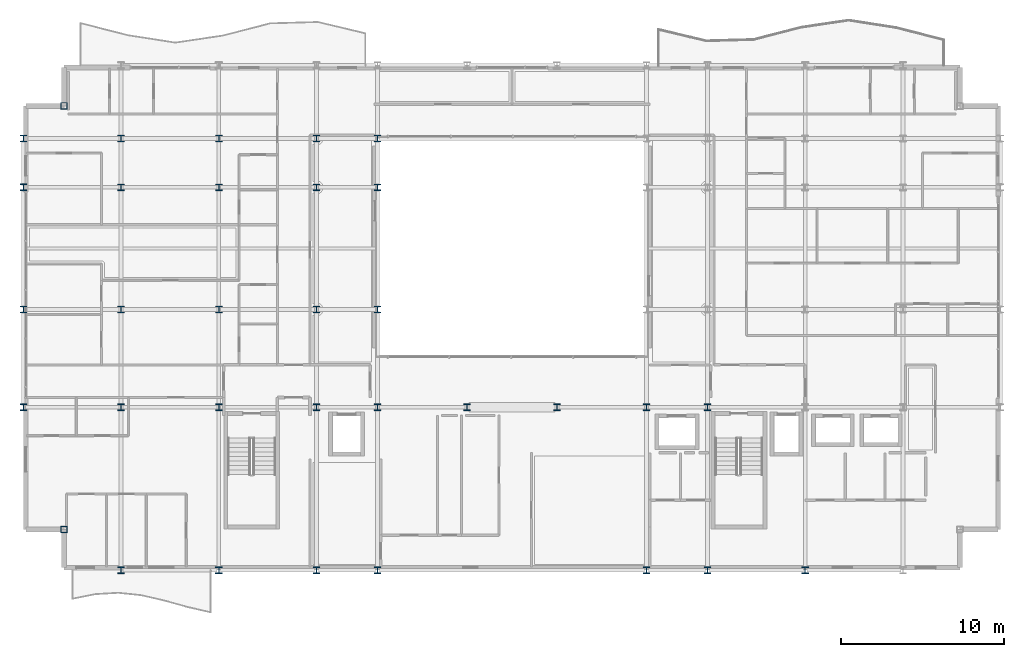
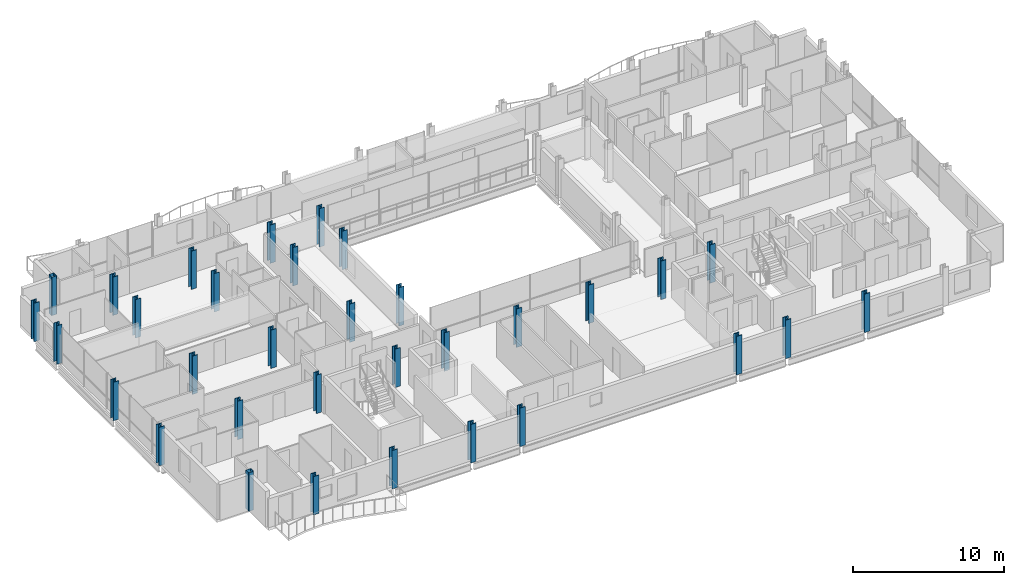
# One storey, part 1 of 41: 33 columns.
"""IFC4 building model written with IfcOpenShell, lengths in metres."""

from ifc_helpers import new_model, si_unit, direction, frame, origin, origin_2d, place, context, subcontext, project, spatial, hollow_rectangle, i_section, extrude, material, material_profile, profile_set, type_object, element, save


model = new_model("IFC4")

# Units and contexts
model_context = context("Model", 3, precision=1e-05, world=origin(), true_north=direction((0.0, 1.0)))
body_context = subcontext(model_context, "Body", "Model", "MODEL_VIEW")
ifc_project = project(units=[si_unit("LENGTHUNIT", "METRE"), si_unit("AREAUNIT", "SQUARE_METRE"), si_unit("VOLUMEUNIT", "CUBIC_METRE"), si_unit("PLANEANGLEUNIT", "RADIAN"), si_unit("MASSUNIT", "GRAM", prefix="KILO")], contexts=[model_context])

# Site, building, storey
site_placement = place(None, origin())
site = spatial("IfcSite", under=ifc_project, at=site_placement, CompositionType="ELEMENT")
building_placement = place(site_placement, origin())
building = spatial("IfcBuilding", under=site, at=building_placement, Name="Brevholm Reach", CompositionType="ELEMENT")
storey_placement = place(building_placement, frame((0.0, 0.0, 157.300048828125)))
storey = spatial("IfcBuildingStorey", under=building, at=storey_placement, Name="L47", CompositionType="ELEMENT", Elevation=157.300048828125)

# Columns
ifc_material_1 = material(Name="Structural Steel S460NH", Category="steel")
ifc_material_profile_1 = material_profile(ifc_material_1, hollow_rectangle(XDim=0.39990234375, YDim=0.39990234375, WallThickness=0.02001953125, InnerFilletRadius=0.011962890625, OuterFilletRadius=0.02392578125, at=origin_2d()), Name="SHS 400x400x20")
ifc_profile_set_1 = profile_set([ifc_material_profile_1], Name="Structural Steel S460NH")
column_type_1 = type_object("IfcColumnType", Name="COL-SHS2", PredefinedType="COLUMN", material=ifc_profile_set_1)
for number, where, z_axis, x_axis, name in (
    (1, (2.5, 2.5, 0.0), (0.0, 0.0, 1.0), (1.0, 0.0, 0.0), "L47 Column 05"),
    (2, (2.5, 28.5, 0.0), (0.0, 0.0, 1.0), (1.0, 0.0, 0.0), "L47 Column 06"),
):
    element("IfcColumn", number, at=place(storey_placement, frame(where, z_axis=z_axis, x_axis=x_axis)), inside=storey, type_object=column_type_1, Name=name, PredefinedType="COLUMN", context=body_context, shape_type="SweptSolid", body=[
        extrude(hollow_rectangle(XDim=0.39990234375, YDim=0.39990234375, WallThickness=0.02001953125, InnerFilletRadius=0.011962890625, OuterFilletRadius=0.02392578125, at=origin_2d()), origin(), (0.0, 0.0, 1.0), 3.099853515625),
    ])
ifc_material_2 = material(Name="Structural Steel S355J2", Category="steel")
ifc_material_profile_2 = material_profile(ifc_material_2, i_section(OverallWidth=0.406982421875, OverallDepth=0.4189453125, WebThickness=0.030517578125, FlangeThickness=0.04931640625, FilletRadius=0.01513671875, at=origin_2d()), Name="UKC 356x406x393")
ifc_profile_set_2 = profile_set([ifc_material_profile_2], Name="Structural Steel S355J2")
column_type_2 = type_object("IfcColumnType", Name="COL-UC4", PredefinedType="COLUMN", material=ifc_profile_set_2)
for number, where, z_axis, x_axis, name in (
    (3, (0.0, 10.0, 0.0), (0.0, 0.0, 1.0), (1.0, 0.0, 0.0), "L47 Column 01"),
    (4, (0.0, 16.0, 0.0), (0.0, 0.0, 1.0), (1.0, 0.0, 0.0), "L47 Column 02"),
    (5, (0.0, 23.5, 0.0), (0.0, 0.0, 1.0), (1.0, 0.0, 0.0), "L47 Column 03"),
    (6, (0.0, 26.5, 0.0), (0.0, 0.0, 1.0), (1.0, 0.0, 0.0), "L47 Column 04"),
    (7, (6.0, 0.0, 0.0), (0.0, 0.0, 1.0), (1.0, 0.0, 0.0), "L47 Column 07"),
    (8, (12.0, 0.0, 0.0), (0.0, 0.0, 1.0), (1.0, 0.0, 0.0), "L47 Column 13"),
    (9, (18.0, 0.0, 0.0), (0.0, 0.0, 1.0), (1.0, 0.0, 0.0), "L47 Column 19"),
    (10, (21.75, 0.0, 0.0), (0.0, 0.0, 1.0), (1.0, 0.0, 0.0), "L47 Column 25"),
    (11, (38.25, 0.0, 0.0), (0.0, 0.0, 1.0), (1.0, 0.0, 0.0), "L47 Column 35"),
    (12, (42.0, 0.0, 0.0), (0.0, 0.0, 1.0), (1.0, 0.0, 0.0), "L47 Column 41"),
    (13, (48.0, 0.0, 0.0), (0.0, 0.0, 1.0), (1.0, 0.0, 0.0), "L47 Column 47"),
):
    element("IfcColumn", number, at=place(storey_placement, frame(where, z_axis=z_axis, x_axis=x_axis)), inside=storey, type_object=column_type_2, Name=name, PredefinedType="COLUMN", context=body_context, shape_type="SweptSolid", body=[
        extrude(i_section(OverallWidth=0.406982421875, OverallDepth=0.4189453125, WebThickness=0.030517578125, FlangeThickness=0.04931640625, FilletRadius=0.01513671875, at=origin_2d()), origin(), (0.0, 0.0, 1.0), 3.099853515625),
    ])
ifc_material_3 = material(Name="Structural Steel S355J2", Category="steel")
ifc_material_profile_3 = material_profile(ifc_material_3, i_section(OverallWidth=0.403076171875, OverallDepth=0.406494140625, WebThickness=0.026611328125, FlangeThickness=0.04296875, FilletRadius=0.01513671875, at=origin_2d()), Name="UKC 356x406x340")
ifc_profile_set_3 = profile_set([ifc_material_profile_3], Name="Structural Steel S355J2")
column_type_3 = type_object("IfcColumnType", Name="COL-UC5", PredefinedType="COLUMN", material=ifc_profile_set_3)
for number, where, z_axis, x_axis, name in (
    (14, (6.0, 10.0, 0.0), (0.0, 0.0, 1.0), (1.0, 0.0, 0.0), "L47 Column 08"),
    (15, (6.0, 16.0, 0.0), (0.0, 0.0, 1.0), (1.0, 0.0, 0.0), "L47 Column 09"),
    (16, (6.0, 23.5, 0.0), (0.0, 0.0, 1.0), (1.0, 0.0, 0.0), "L47 Column 10"),
    (17, (6.0, 26.5, 0.0), (0.0, 0.0, 1.0), (1.0, 0.0, 0.0), "L47 Column 11"),
    (18, (12.0, 10.0, 0.0), (0.0, 0.0, 1.0), (1.0, 0.0, 0.0), "L47 Column 14"),
    (19, (12.0, 16.0, 0.0), (0.0, 0.0, 1.0), (1.0, 0.0, 0.0), "L47 Column 15"),
    (20, (12.0, 23.5, 0.0), (0.0, 0.0, 1.0), (1.0, 0.0, 0.0), "L47 Column 16"),
    (21, (12.0, 26.5, 0.0), (0.0, 0.0, 1.0), (1.0, 0.0, 0.0), "L47 Column 17"),
    (22, (18.0, 10.0, 0.0), (0.0, 0.0, 1.0), (1.0, 0.0, 0.0), "L47 Column 20"),
    (23, (18.0, 16.0, 0.0), (0.0, 0.0, 1.0), (1.0, 0.0, 0.0), "L47 Column 21"),
    (24, (18.0, 23.5, 0.0), (0.0, 0.0, 1.0), (1.0, 0.0, 0.0), "L47 Column 22"),
    (25, (18.0, 26.5, 0.0), (0.0, 0.0, 1.0), (1.0, 0.0, 0.0), "L47 Column 23"),
    (26, (21.75, 10.0, 0.0), (0.0, 0.0, 1.0), (1.0, 0.0, 0.0), "L47 Column 26"),
    (27, (21.75, 16.0, 0.0), (0.0, 0.0, 1.0), (1.0, 0.0, 0.0), "L47 Column 27"),
    (28, (21.75, 23.5, 0.0), (0.0, 0.0, 1.0), (1.0, 0.0, 0.0), "L47 Column 28"),
    (29, (21.75, 26.5, 0.0), (0.0, 0.0, 1.0), (1.0, 0.0, 0.0), "L47 Column 29"),
    (30, (27.25, 10.0, 0.0), (0.0, 0.0, 1.0), (1.0, 0.0, 0.0), "L47 Column 31"),
    (31, (32.75, 10.0, 0.0), (0.0, 0.0, 1.0), (1.0, 0.0, 0.0), "L47 Column 33"),
    (32, (38.25, 10.0, 0.0), (0.0, 0.0, 1.0), (1.0, 0.0, 0.0), "L47 Column 36"),
    (33, (42.0, 10.0, 0.0), (0.0, 0.0, 1.0), (1.0, 0.0, 0.0), "L47 Column 42"),
):
    element("IfcColumn", number, at=place(storey_placement, frame(where, z_axis=z_axis, x_axis=x_axis)), inside=storey, type_object=column_type_3, Name=name, PredefinedType="COLUMN", context=body_context, shape_type="SweptSolid", body=[
        extrude(i_section(OverallWidth=0.403076171875, OverallDepth=0.406494140625, WebThickness=0.026611328125, FlangeThickness=0.04296875, FilletRadius=0.01513671875, at=origin_2d()), origin(), (0.0, 0.0, 1.0), 3.099853515625),
    ])

save(model, "model.ifc")
